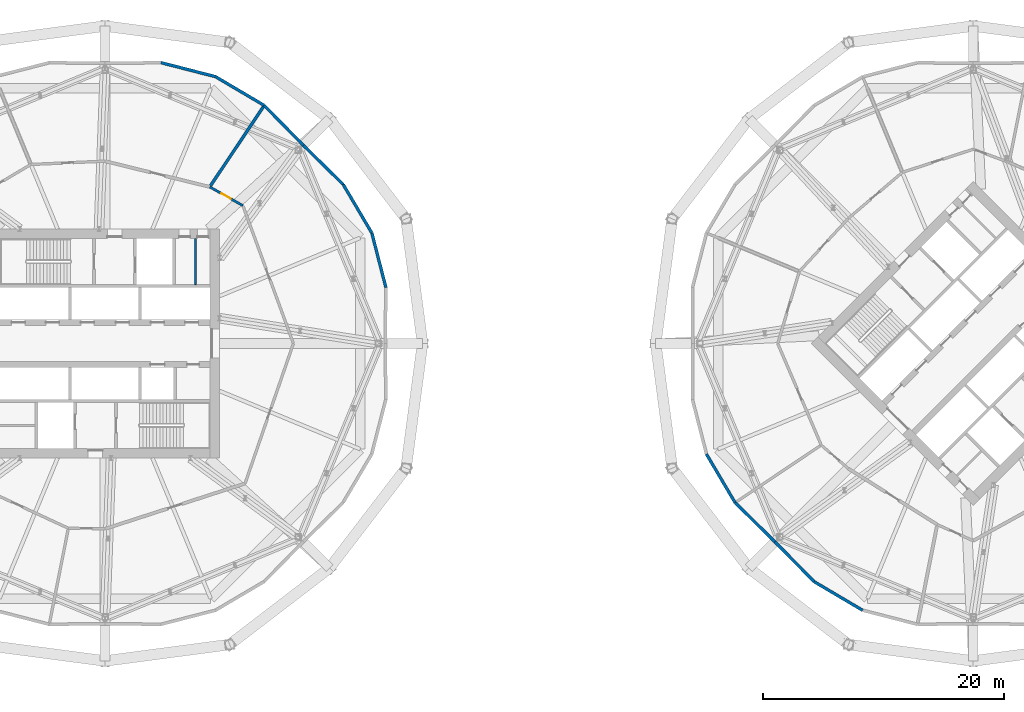
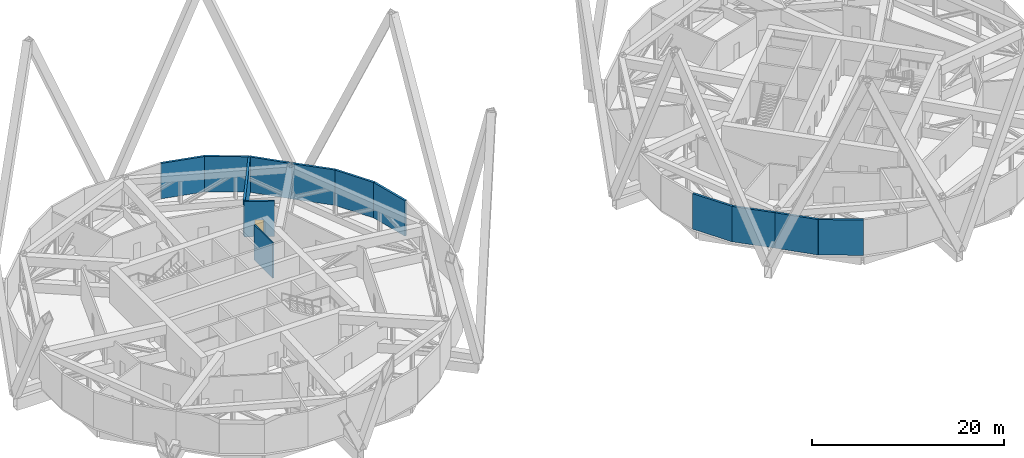
# One storey, part 16 of 21: 13 walls, 1 door, 1 opening.
"""IFC4 building model written with IfcOpenShell, lengths in metres."""

from ifc_helpers import new_model, si_unit, direction, frame, frame_2d, origin, place, context, subcontext, project, spatial, rectangle, extrude, material, layer, layer_set, type_object, element, fill, save


model = new_model("IFC4")

# Units and contexts
model_context = context("Model", 3, precision=1e-05, world=origin(), true_north=direction((0.0, 1.0)))
body_context = subcontext(model_context, "Body", "Model", "MODEL_VIEW")
ifc_project = project(units=[si_unit("LENGTHUNIT", "METRE"), si_unit("AREAUNIT", "SQUARE_METRE"), si_unit("VOLUMEUNIT", "CUBIC_METRE"), si_unit("PLANEANGLEUNIT", "RADIAN"), si_unit("MASSUNIT", "GRAM", prefix="KILO")], contexts=[model_context])

# Site, building, storey
site_placement = place(None, origin())
site = spatial("IfcSite", under=ifc_project, at=site_placement, CompositionType="ELEMENT")
building_placement = place(site_placement, origin())
building = spatial("IfcBuilding", under=site, at=building_placement, Name="Ogive Gate Towers", CompositionType="ELEMENT")
storey_placement = place(building_placement, frame((0.0, 0.0, 71.39990234375)))
storey = spatial("IfcBuildingStorey", under=building, at=storey_placement, Name="L16", CompositionType="ELEMENT", Elevation=71.39990234375)

# Wall, opening, door
ifc_material_1 = material(Name="Fire-rated block compartment wall")
ifc_layer_1 = layer(ifc_material_1, 0.199951171875)
ifc_layer_set_1 = layer_set([ifc_layer_1], Name="Compartment wall 200")
wall_type_1 = type_object("IfcWallType", Name="Compartment wall 200", PredefinedType="PARTITIONING", material=ifc_layer_set_1)
wall_1_placement = place(storey_placement, frame((-24.56591796875, 11.43408203125, 0.0), z_axis=(0.0, 0.0, 1.0), x_axis=(-0.870701000875, 0.49181273578, 0.0)))
wall_1 = element("IfcWall", 1, at=wall_1_placement, inside=storey, type_object=wall_type_1, Name="Partition T1-L16-016", PredefinedType="PARTITIONING", context=body_context, shape_type="SweptSolid", body=[
    extrude(rectangle(XDim=3.15869140625, YDim=0.199951171875, at=frame_2d((1.579345703125, 0.0))), origin(), (0.0, 0.0, 1.0), 4.5),
])
opening_placement = place(wall_1_placement, frame((1.14990234375, 0.0, 0.0)))
opening = element("IfcOpeningElement", 2, at=opening_placement, cuts=wall_1, Name="Opening T1-L16-D12", PredefinedType="OPENING", context=body_context, shape_type="SweptSolid", body=[
    extrude(rectangle(XDim=0.89990234375, YDim=2.10009765625, at=frame_2d((0.449951171875, 1.050048828125))), frame((0.0, 0.10986328125, 0.0), z_axis=(0.0, -1.0, 0.0), x_axis=(1.0, 0.0, 0.0)), (0.0, 0.0, 1.0), 0.219970703125),
])
ifc_material_2 = material(Name="Steel fire door", Category="steel")
door_type = type_object("IfcDoorType", Name="Fire door 900 FD30S", OperationType="NOTDEFINED", PredefinedType="DOOR", material=ifc_material_2)
door_placement = place(opening_placement, origin())
door = element("IfcDoor", 3, at=door_placement, inside=storey, type_object=door_type, Name="Door T1-L16-D12", OperationType="SINGLE_SWING_RIGHT", OverallHeight=2.10009765625, OverallWidth=0.89990234375, PredefinedType="DOOR", context=body_context, shape_type="SweptSolid", body=[
    extrude(rectangle(XDim=0.89990234375, YDim=2.10009765625, at=frame_2d((0.449951171875, 1.050048828125))), frame((0.0, 0.02490234375, 0.0), z_axis=(0.0, -1.0, 0.0), x_axis=(1.0, 0.0, 0.0)), (0.0, 0.0, 1.0), 0.050048828125),
])
fill(opening, door)

# Walls
ifc_material_3 = material(Name="Pale metal aluminium louvre", Category="aluminium")
ifc_layer_2 = layer(ifc_material_3, 0.25)
ifc_layer_set_2 = layer_set([ifc_layer_2], Name="Plant louvre wall")
wall_type_2 = type_object("IfcWallType", Name="Plant louvre wall", PredefinedType="SOLIDWALL", material=ifc_layer_set_2)
wall_2_placement = place(storey_placement, frame((-12.701904296875, 4.63623046875, 0.0), z_axis=(0.0, 0.0, 1.0), x_axis=(-0.249380850957, 0.968405489026, 0.0)))
element("IfcWall", 4, at=wall_2_placement, inside=storey, type_object=wall_type_2, Name="Plant louvre wall", PredefinedType="SOLIDWALL", context=body_context, shape_type="SweptSolid", body=[
    extrude(rectangle(XDim=4.678466796875, YDim=0.25, at=frame_2d((2.33935546875, 0.0))), origin(), (0.0, 0.0, 1.0), 4.5),
])
wall_3_placement = place(storey_placement, frame((-13.86865234375, 9.1669921875, 0.0), z_axis=(0.0, 0.0, 1.0), x_axis=(-0.508451519792, 0.861090617776, 0.0)))
element("IfcWall", 5, at=wall_3_placement, inside=storey, type_object=wall_type_2, Name="Plant louvre wall", PredefinedType="SOLIDWALL", context=body_context, shape_type="SweptSolid", body=[
    extrude(rectangle(XDim=4.6787109375, YDim=0.25, at=frame_2d((2.33935546875, 0.0))), origin(), (0.0, 0.0, 1.0), 4.5),
])
for number, where, z_axis, x_axis, name in (
    (6, (-16.24755859375, 13.19580078125, 0.0), (0.0, 0.0, 1.0), (-0.713606087495, 0.700547180345, 0.0), "Plant louvre wall"),
    (7, (-19.55615234375, 16.44384765625, 0.0), (0.0, 0.0, 1.0), (-0.700547180345, 0.713606087495, 0.0), "Plant louvre wall"),
):
    element("IfcWall", number, at=place(storey_placement, frame(where, z_axis=z_axis, x_axis=x_axis)), inside=storey, type_object=wall_type_2, Name=name, PredefinedType="SOLIDWALL", context=body_context, shape_type="SweptSolid", body=[
        extrude(rectangle(XDim=4.636474609375, YDim=0.25, at=frame_2d((2.318359375, 0.0))), origin(), (0.0, 0.0, 1.0), 4.5),
    ])
wall_4_placement = place(storey_placement, frame((-22.80419921875, 19.75244140625, 0.0), z_axis=(0.0, 0.0, 1.0), x_axis=(-0.861090617776, 0.508451519792, 0.0)))
element("IfcWall", 8, at=wall_4_placement, inside=storey, type_object=wall_type_2, Name="Plant louvre wall", PredefinedType="SOLIDWALL", context=body_context, shape_type="SweptSolid", body=[
    extrude(rectangle(XDim=4.6787109375, YDim=0.25, at=frame_2d((2.33935546875, 0.0))), origin(), (0.0, 0.0, 1.0), 4.5),
])
wall_5_placement = place(storey_placement, frame((-26.8330078125, 22.13134765625, 0.0), z_axis=(0.0, 0.0, 1.0), x_axis=(-0.968405489026, 0.249380850957, 0.0)))
element("IfcWall", 9, at=wall_5_placement, inside=storey, type_object=wall_type_2, Name="Plant louvre wall", PredefinedType="SOLIDWALL", context=body_context, shape_type="SweptSolid", body=[
    extrude(rectangle(XDim=4.678466796875, YDim=0.25, at=frame_2d((2.33935546875, 0.0))), origin(), (0.0, 0.0, 1.0), 4.5),
])
wall_6_placement = place(storey_placement, frame((13.86865234375, -9.1669921875, 0.0), z_axis=(0.0, 0.0, 1.0), x_axis=(0.508451519792, -0.861090617776, 0.0)))
element("IfcWall", 10, at=wall_6_placement, inside=storey, type_object=wall_type_2, Name="Plant louvre wall", PredefinedType="SOLIDWALL", context=body_context, shape_type="SweptSolid", body=[
    extrude(rectangle(XDim=4.6787109375, YDim=0.25, at=frame_2d((2.33935546875, 0.0))), origin(), (0.0, 0.0, 1.0), 4.5),
])
for number, where, z_axis, x_axis, name in (
    (11, (16.24755859375, -13.19580078125, 0.0), (0.0, 0.0, 1.0), (0.713606087495, -0.700547180345, 0.0), "Plant louvre wall"),
    (12, (19.55615234375, -16.44384765625, 0.0), (0.0, 0.0, 1.0), (0.700547180345, -0.713606087495, 0.0), "Plant louvre wall"),
):
    element("IfcWall", number, at=place(storey_placement, frame(where, z_axis=z_axis, x_axis=x_axis)), inside=storey, type_object=wall_type_2, Name=name, PredefinedType="SOLIDWALL", context=body_context, shape_type="SweptSolid", body=[
        extrude(rectangle(XDim=4.636474609375, YDim=0.25, at=frame_2d((2.318359375, 0.0))), origin(), (0.0, 0.0, 1.0), 4.5),
    ])
wall_7_placement = place(storey_placement, frame((22.80419921875, -19.75244140625, 0.0), z_axis=(0.0, 0.0, 1.0), x_axis=(0.861090617776, -0.508451519792, 0.0)))
element("IfcWall", 13, at=wall_7_placement, inside=storey, type_object=wall_type_2, Name="Plant louvre wall", PredefinedType="SOLIDWALL", context=body_context, shape_type="SweptSolid", body=[
    extrude(rectangle(XDim=4.6787109375, YDim=0.25, at=frame_2d((2.33935546875, 0.0))), origin(), (0.0, 0.0, 1.0), 4.5),
])
ifc_material_4 = material(Name="Fire-rated concrete block wall", Category="concrete")
ifc_layer_3 = layer(ifc_material_4, 0.25)
ifc_layer_set_3 = layer_set([ifc_layer_3], Name="Refuge compartment wall 250")
wall_type_3 = type_object("IfcWallType", Name="Refuge compartment wall 250", PredefinedType="PARTITIONING", material=ifc_layer_set_3)
wall_8_placement = place(storey_placement, frame((-22.782470703125, 19.767822265625, 0.0), z_axis=(0.0, 0.0, 1.0), x_axis=(-0.555829091206, -0.831296590495, 0.0)))
element("IfcWall", 14, at=wall_8_placement, inside=storey, type_object=wall_type_3, Name="Partition T1-L16-001", PredefinedType="PARTITIONING", context=body_context, shape_type="SweptSolid", body=[
    extrude(rectangle(XDim=8.031494140625, YDim=0.25, at=frame_2d((4.015625, 0.0))), origin(), (0.0, 0.0, 1.0), 4.5),
])
ifc_material_5 = material(Name="Gypsum board partition")
ifc_layer_4 = layer(ifc_material_5, 0.14990234375)
ifc_layer_set_4 = layer_set([ifc_layer_4], Name="Room partition 150 mm")
wall_type_4 = type_object("IfcWallType", Name="Room partition 150 mm", PredefinedType="PARTITIONING", material=ifc_layer_set_4)
wall_9_placement = place(storey_placement, frame((-28.5, 4.875, 0.0), z_axis=(0.0, 0.0, 1.0), x_axis=(0.0, 1.0, 0.0)))
element("IfcWall", 15, at=wall_9_placement, inside=storey, type_object=wall_type_4, Name="T1 L16 Room partition 150 mm", PredefinedType="PARTITIONING", context=body_context, shape_type="SweptSolid", body=[
    extrude(rectangle(XDim=3.824951171875, YDim=0.14990234375, at=frame_2d((1.91259765625, 0.0))), origin(), (0.0, 0.0, 1.0), 4.5),
])

save(model, "model.ifc")
